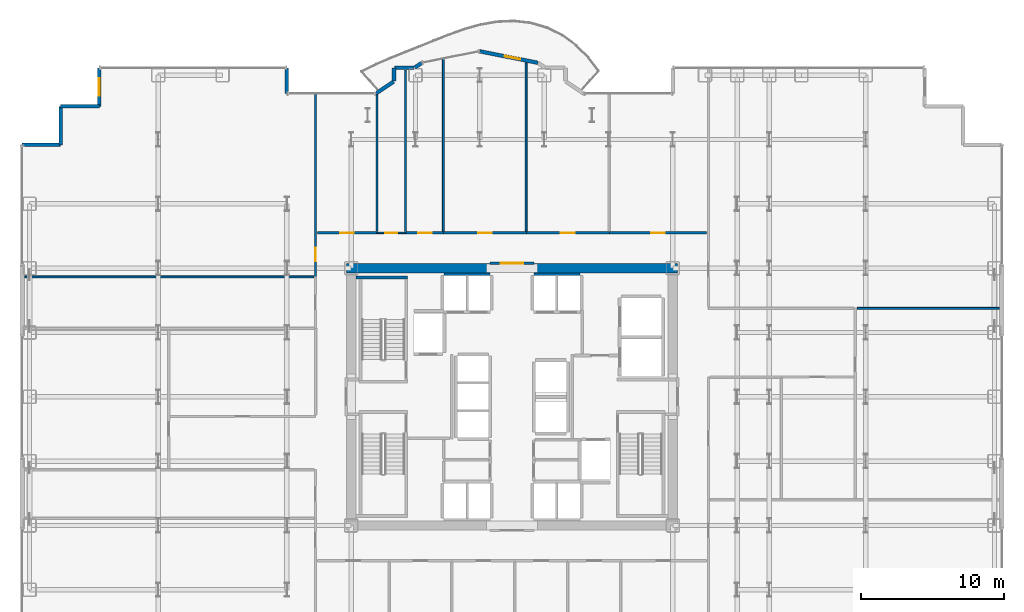
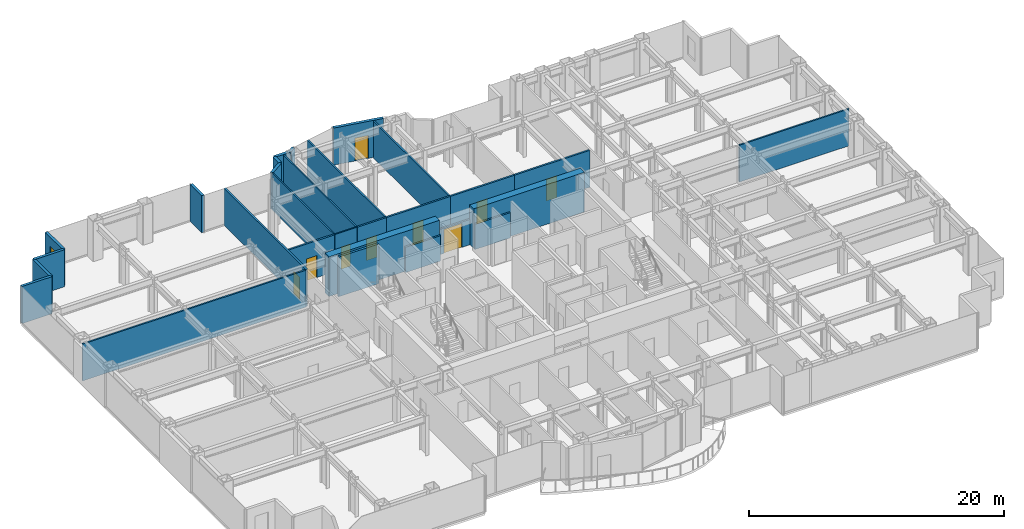
# One storey, part 26 of 29: 29 walls, 9 doors, 1 window, 10 openings.
"""IFC4 building model written with IfcOpenShell, lengths in metres."""

from ifc_helpers import new_model, si_unit, direction, frame, frame_2d, origin, place, context, subcontext, project, spatial, rectangle, extrude, source, transform, mapped, material, layer, layer_set, type_object, element, fill, save


model = new_model("IFC4")

# Units and contexts
model_context = context("Model", 3, precision=1e-05, world=origin(), true_north=direction((0.0, 1.0)))
body_context = subcontext(model_context, "Body", "Model", "MODEL_VIEW")
ifc_project = project(units=[si_unit("LENGTHUNIT", "METRE"), si_unit("AREAUNIT", "SQUARE_METRE"), si_unit("VOLUMEUNIT", "CUBIC_METRE"), si_unit("PLANEANGLEUNIT", "RADIAN"), si_unit("MASSUNIT", "GRAM", prefix="KILO")], contexts=[model_context])

# Site, building, storey
site_placement = place(None, origin())
site = spatial("IfcSite", under=ifc_project, at=site_placement, CompositionType="ELEMENT")
building_placement = place(site_placement, origin())
building = spatial("IfcBuilding", under=site, at=building_placement, Name="Nefas-Gora Pilgrimage Tower", CompositionType="ELEMENT")
storey_placement = place(building_placement, frame((0.0, 0.0, 44.39990234375)))
storey = spatial("IfcBuildingStorey", under=building, at=storey_placement, Name="L09", CompositionType="ELEMENT", Elevation=44.39990234375)

# Walls
ifc_material_1 = material(Name="Concrete C60/75", Category="concrete")
ifc_layer_1 = layer(ifc_material_1, 0.64990234375)
ifc_layer_set_1 = layer_set([ifc_layer_1], Name="Concrete C60/75")
wall_type_1 = type_object("IfcWallType", Name="SW-CORE-650", PredefinedType="SHEAR", material=ifc_layer_set_1)
shared_shape_1 = source(origin(), body_context, "Body", "SweptSolid", [
    extrude(rectangle(XDim=10.02490234375, YDim=0.64990234375, at=frame_2d((5.012451171875, 0.0))), origin(), (0.0, 0.0, 1.0), 3.800048828125),
])
for number, where, z_axis, x_axis, name in (
    (1, (-11.574951171875, 9.0, 0.0), (0.0, 0.0, 1.0), (1.0, 0.0, 0.0), "L09 Core Shear Wall N-West"),
    (2, (1.550048828125, 9.0, 0.0), (0.0, 0.0, 1.0), (1.0, 0.0, 0.0), "L09 Core Shear Wall N-East"),
):
    element("IfcWall", number, at=place(storey_placement, frame(where, z_axis=z_axis, x_axis=x_axis)), inside=storey, type_object=wall_type_1, Name=name, PredefinedType="SHEAR", context=body_context, shape_type="MappedRepresentation", body=[
        mapped(shared_shape_1, transform((0.0, 0.0, 0.0), x_axis=(1.0, 0.0, 0.0), y_axis=(0.0, 1.0, 0.0), z_axis=(0.0, 0.0, 1.0), scale=1.0)),
    ])
ifc_material_2 = material(Name="Precast concrete C40/50", Category="concrete")
ifc_layer_2 = layer(ifc_material_2, 0.260009765625)
ifc_layer_set_2 = layer_set([ifc_layer_2], Name="Precast concrete C40/50")
wall_type_2 = type_object("IfcWallType", Name="EW-PORTAL-260", PredefinedType="SOLIDWALL", material=ifc_layer_set_2)
shared_shape_2 = source(origin(), body_context, "Body", "SweptSolid", [
    extrude(rectangle(XDim=1.800048828125, YDim=0.260009765625, at=frame_2d((0.89990234375, 0.0))), origin(), (0.0, 0.0, 1.0), 3.550048828125),
])
wall_1_placement = place(storey_placement, frame((-15.75, 21.219970703125, 0.0), z_axis=(0.0, 0.0, 1.0), x_axis=(0.0, 1.0, 0.0)))
element("IfcWall", 3, at=wall_1_placement, inside=storey, type_object=wall_type_2, Name="L09 Lobe Shoulder Precast Spandrel Pier 24", PredefinedType="SOLIDWALL", context=body_context, shape_type="MappedRepresentation", body=[
    mapped(shared_shape_2, transform((0.0, 0.0, 0.0), x_axis=(1.0, 0.0, 0.0), y_axis=(0.0, 1.0, 0.0), z_axis=(0.0, 0.0, 1.0), scale=1.0)),
])

# Wall, opening, window
ifc_material_3 = material(Name="Precast concrete C45/55", Category="concrete")
ifc_layer_3 = layer(ifc_material_3, 0.239990234375)
ifc_layer_set_3 = layer_set([ifc_layer_3], Name="Precast concrete C45/55")
wall_type_3 = type_object("IfcWallType", Name="EW-SERR-240", PredefinedType="SHEAR", material=ifc_layer_set_3)
shared_shape_3 = source(origin(), body_context, "Body", "SweptSolid", [
    extrude(rectangle(XDim=2.699951171875, YDim=0.239990234375, at=frame_2d((1.35009765625, 0.0))), origin(), (0.0, 0.0, 1.0), 3.550048828125),
])
wall_2_placement = place(storey_placement, frame((-28.8701171875, 23.02001953125, 0.0), z_axis=(0.0, 0.0, 1.0), x_axis=(0.0, -1.0, 0.0)))
wall_2 = element("IfcWall", 4, at=wall_2_placement, inside=storey, type_object=wall_type_3, Name="L09 Serrated Corner Shear Pier Wall 25", PredefinedType="SHEAR", context=body_context, shape_type="MappedRepresentation", body=[
    mapped(shared_shape_3, transform((0.0, 0.0, 0.0), x_axis=(1.0, 0.0, 0.0), y_axis=(0.0, 1.0, 0.0), z_axis=(0.0, 0.0, 1.0), scale=1.0)),
])
opening_1_placement = place(wall_2_placement, frame((0.75, 0.0, 0.85009765625)))
opening_1 = element("IfcOpeningElement", 5, at=opening_1_placement, cuts=wall_2, Name="Opening W-V1", PredefinedType="OPENING", context=body_context, shape_type="SweptSolid", body=[
    extrude(rectangle(XDim=1.199951171875, YDim=1.800048828125, at=frame_2d((0.60009765625, 0.89990234375))), frame((0.0, 0.1298828125, 0.0), z_axis=(0.0, -1.0, 0.0), x_axis=(1.0, 0.0, 0.0)), (0.0, 0.0, 1.0), 0.260009765625),
])
ifc_material_4 = material(Name="Dark ceramic-fritted operable aluminium-glass window", Category="aluminium")
window_type = type_object("IfcWindowType", Name="WIN-VENT-1200x1800", PartitioningType="SINGLE_PANEL", PredefinedType="WINDOW", material=ifc_material_4)
shared_shape_4 = source(origin(), body_context, "Body", "SweptSolid", [
    extrude(rectangle(XDim=1.199951171875, YDim=1.800048828125, at=frame_2d((0.60009765625, 0.89990234375))), frame((0.0, 0.030029296875, 0.0), z_axis=(0.0, -1.0, 0.0), x_axis=(1.0, 0.0, 0.0)), (0.0, 0.0, 1.0), 0.06005859375),
])
window_placement = place(opening_1_placement, origin())
window = element("IfcWindow", 6, at=window_placement, inside=storey, type_object=window_type, Name="L09 Operable Parallel-Outswing Window 25", OverallHeight=1.800048828125, OverallWidth=1.199951171875, PartitioningType="SINGLE_PANEL", PredefinedType="WINDOW", context=body_context, shape_type="MappedRepresentation", body=[
    mapped(shared_shape_4, transform((0.0, 0.0, 0.0), x_axis=(1.0, 0.0, 0.0), y_axis=(0.0, 1.0, 0.0), z_axis=(0.0, 0.0, 1.0), scale=1.0)),
])
fill(opening_1, window)

# Walls
for number, where, z_axis, x_axis, name in (
    (7, (-28.8701171875, 20.320068359375, 0.0), (0.0, 0.0, 1.0), (-1.0, 0.0, 0.0), "L09 Serrated Corner Shear Pier Wall 26"),
    (8, (-31.570068359375, 20.320068359375, 0.0), (0.0, 0.0, 1.0), (0.0, -1.0, 0.0), "L09 Serrated Corner Shear Pier Wall 27"),
    (9, (-31.570068359375, 17.6201171875, 0.0), (0.0, 0.0, 1.0), (-1.0, 0.0, 0.0), "L09 Serrated Corner Shear Pier Wall 28"),
):
    element("IfcWall", number, at=place(storey_placement, frame(where, z_axis=z_axis, x_axis=x_axis)), inside=storey, type_object=wall_type_3, Name=name, PredefinedType="SHEAR", context=body_context, shape_type="MappedRepresentation", body=[
        mapped(shared_shape_3, transform((0.0, 0.0, 0.0), x_axis=(1.0, 0.0, 0.0), y_axis=(0.0, 1.0, 0.0), z_axis=(0.0, 0.0, 1.0), scale=1.0)),
    ])
shared_shape_5 = source(origin(), body_context, "Body", "SweptSolid", [
    extrude(rectangle(XDim=1.468994140625, YDim=0.260009765625, at=frame_2d((0.734375, 0.0))), origin(), (0.0, 0.0, 1.0), 3.550048828125),
])
wall_3_placement = place(storey_placement, frame((-8.273193359375, 22.0517578125, 0.0), z_axis=(0.0, 0.0, 1.0), x_axis=(-0.831461760506, -0.555581983884, 0.0)))
element("IfcWall", 10, at=wall_3_placement, inside=storey, type_object=wall_type_2, Name="L09 Lobe Shoulder Precast Spandrel Pier 23", PredefinedType="SOLIDWALL", context=body_context, shape_type="MappedRepresentation", body=[
    mapped(shared_shape_5, transform((0.0, 0.0, 0.0), x_axis=(1.0, 0.0, 0.0), y_axis=(0.0, 1.0, 0.0), z_axis=(0.0, 0.0, 1.0), scale=1.0)),
])
shared_shape_6 = source(origin(), body_context, "Body", "SweptSolid", [
    extrude(rectangle(XDim=0.896728515625, YDim=0.260009765625, at=frame_2d((0.4482421875, 0.0))), origin(), (0.0, 0.0, 1.0), 3.550048828125),
])
wall_4_placement = place(storey_placement, frame((-8.25, 22.991943359375, 0.0), z_axis=(0.0, 0.0, 1.0), x_axis=(0.0, -1.0, 0.0)))
element("IfcWall", 11, at=wall_4_placement, inside=storey, type_object=wall_type_2, Name="L09 Lobe Shoulder Precast Spandrel Pier 22", PredefinedType="SOLIDWALL", context=body_context, shape_type="MappedRepresentation", body=[
    mapped(shared_shape_6, transform((0.0, 0.0, 0.0), x_axis=(1.0, 0.0, 0.0), y_axis=(0.0, 1.0, 0.0), z_axis=(0.0, 0.0, 1.0), scale=1.0)),
])
shared_shape_7 = source(origin(), body_context, "Body", "SweptSolid", [
    extrude(rectangle(XDim=1.369873046875, YDim=0.260009765625, at=frame_2d((0.68505859375, 0.0))), origin(), (0.0, 0.0, 1.0), 3.550048828125),
])
wall_5_placement = place(storey_placement, frame((-6.85205078125, 23.02001953125, 0.0), z_axis=(0.0, 0.0, 1.0), x_axis=(-1.0, 0.0, 0.0)))
element("IfcWall", 12, at=wall_5_placement, inside=storey, type_object=wall_type_2, Name="L09 Lobe Shoulder Precast Spandrel Pier 21", PredefinedType="SOLIDWALL", context=body_context, shape_type="MappedRepresentation", body=[
    mapped(shared_shape_7, transform((0.0, 0.0, 0.0), x_axis=(1.0, 0.0, 0.0), y_axis=(0.0, 1.0, 0.0), z_axis=(0.0, 0.0, 1.0), scale=1.0)),
])
shared_shape_8 = source(origin(), body_context, "Body", "SweptSolid", [
    extrude(rectangle(XDim=0.5654296875, YDim=0.260009765625, at=frame_2d((0.28271484375, 0.0))), origin(), (0.0, 0.0, 1.0), 3.550048828125),
])
wall_6_placement = place(storey_placement, frame((-6.33056640625, 23.349609375, 0.0), z_axis=(0.0, 0.0, 1.0), x_axis=(-0.831651492666, -0.555297933317, 0.0)))
element("IfcWall", 13, at=wall_6_placement, inside=storey, type_object=wall_type_2, Name="L09 Lobe Shoulder Precast Spandrel Pier 20", PredefinedType="SOLIDWALL", context=body_context, shape_type="MappedRepresentation", body=[
    mapped(shared_shape_8, transform((0.0, 0.0, 0.0), x_axis=(1.0, 0.0, 0.0), y_axis=(0.0, 1.0, 0.0), z_axis=(0.0, 0.0, 1.0), scale=1.0)),
])

# Wall, opening, door
shared_shape_9 = source(origin(), body_context, "Body", "SweptSolid", [
    extrude(rectangle(XDim=4.136962890625, YDim=0.260009765625, at=frame_2d((2.068359375, 0.0))), origin(), (0.0, 0.0, 1.0), 3.550048828125),
])
wall_7_placement = place(storey_placement, frame((1.807373046875, 23.365234375, 0.0), z_axis=(0.0, 0.0, 1.0), x_axis=(-0.980782170794, 0.195105954428, 0.0)))
wall_7 = element("IfcWall", 14, at=wall_7_placement, inside=storey, type_object=wall_type_2, Name="L09 Insulated Terrace Portal Wall 19", PredefinedType="SOLIDWALL", context=body_context, shape_type="MappedRepresentation", body=[
    mapped(shared_shape_9, transform((0.0, 0.0, 0.0), x_axis=(1.0, 0.0, 0.0), y_axis=(0.0, 1.0, 0.0), z_axis=(0.0, 0.0, 1.0), scale=1.0)),
])
opening_2_placement = place(wall_7_placement, frame((1.2607421875, 0.0, 0.0)))
opening_2 = element("IfcOpeningElement", 15, at=opening_2_placement, cuts=wall_7, Name="Opening ED-B1", PredefinedType="OPENING", context=body_context, shape_type="SweptSolid", body=[
    extrude(rectangle(XDim=1.10009765625, YDim=2.199951171875, at=frame_2d((0.550048828125, 1.10009765625))), frame((0.0, 0.139892578125, 0.0), z_axis=(0.0, -1.0, 0.0), x_axis=(1.0, 0.0, 0.0)), (0.0, 0.0, 1.0), 0.280029296875),
])
ifc_material_5 = material(Name="Thermally broken glazed aluminium balcony door", Category="aluminium")
door_type_1 = type_object("IfcDoorType", Name="DR-EXT-BAL-1100", OperationType="NOTDEFINED", PredefinedType="DOOR", material=ifc_material_5)
shared_shape_10 = source(origin(), body_context, "Body", "SweptSolid", [
    extrude(rectangle(XDim=1.10009765625, YDim=2.199951171875, at=frame_2d((0.550048828125, 1.10009765625))), frame((0.0, 0.02490234375, 0.0), z_axis=(0.0, -1.0, 0.0), x_axis=(1.0, 0.0, 0.0)), (0.0, 0.0, 1.0), 0.050048828125),
])
door_1_placement = place(opening_2_placement, origin())
door_1 = element("IfcDoor", 16, at=door_1_placement, inside=storey, type_object=door_type_1, Name="L09 Exterior Door (L09 N Lobe Wave Balcony)", OperationType="SINGLE_SWING_LEFT", OverallHeight=2.199951171875, OverallWidth=1.10009765625, PredefinedType="DOOR", context=body_context, shape_type="MappedRepresentation", body=[
    mapped(shared_shape_10, transform((0.0, 0.0, 0.0), x_axis=(1.0, 0.0, 0.0), y_axis=(0.0, 1.0, 0.0), z_axis=(0.0, 0.0, 1.0), scale=1.0)),
])
fill(opening_2, door_1)

# Walls
ifc_material_6 = material(Name="Concrete C45/55", Category="concrete")
ifc_layer_4 = layer(ifc_material_6, 0.199951171875)
ifc_layer_set_4 = layer_set([ifc_layer_4], Name="Concrete C45/55")
wall_type_4 = type_object("IfcWallType", Name="IW-STAIR-200", PredefinedType="SOLIDWALL", material=ifc_layer_set_4)
shared_shape_11 = source(origin(), body_context, "Body", "SweptSolid", [
    extrude(rectangle(XDim=3.6298828125, YDim=0.199951171875, at=frame_2d((1.81494140625, 0.0))), origin(), (0.0, 0.0, 1.0), 3.800048828125),
])
wall_8_placement = place(storey_placement, frame((-7.300048828125, 8.35009765625, 0.0), z_axis=(0.0, 0.0, 1.0), x_axis=(-1.0, 0.0, 0.0)))
element("IfcWall", 17, at=wall_8_placement, inside=storey, type_object=wall_type_4, Name="L09 Stairwell Shear Wall ST-01-far", PredefinedType="SOLIDWALL", context=body_context, shape_type="MappedRepresentation", body=[
    mapped(shared_shape_11, transform((0.0, 0.0, 0.0), x_axis=(1.0, 0.0, 0.0), y_axis=(0.0, 1.0, 0.0), z_axis=(0.0, 0.0, 1.0), scale=1.0)),
])
ifc_material_7 = material(Name="Gypsum acoustic stud partition")
ifc_layer_5 = layer(ifc_material_7, 0.159912109375)
ifc_layer_set_5 = layer_set([ifc_layer_5], Name="Gypsum acoustic stud partition")
wall_type_5 = type_object("IfcWallType", Name="IW-CORR-160", PredefinedType="PARTITIONING", material=ifc_layer_set_5)
shared_shape_12 = source(origin(), body_context, "Body", "SweptSolid", [
    extrude(rectangle(XDim=3.199951171875, YDim=0.159912109375, at=frame_2d((1.60009765625, 0.0))), origin(), (0.0, 0.0, 1.0), 2.425048828125),
])
for number, where, z_axis, x_axis, name in (
    (18, (-1.550048828125, 8.580078125, 0.0), (0.0, 0.0, 1.0), (-1.0, 0.0, 0.0), "L09 Hoistway Wall PL1-W-N"),
    (19, (4.75, 8.580078125, 0.0), (0.0, 0.0, 1.0), (-1.0, 0.0, 0.0), "L09 Hoistway Wall PL1-E-N"),
):
    element("IfcWall", number, at=place(storey_placement, frame(where, z_axis=z_axis, x_axis=x_axis)), inside=storey, type_object=wall_type_5, Name=name, PredefinedType="PARTITIONING", context=body_context, shape_type="MappedRepresentation", body=[
        mapped(shared_shape_12, transform((0.0, 0.0, 0.0), x_axis=(1.0, 0.0, 0.0), y_axis=(0.0, 1.0, 0.0), z_axis=(0.0, 0.0, 1.0), scale=1.0)),
    ])

# Wall, opening, door
shared_shape_13 = source(origin(), body_context, "Body", "SweptSolid", [
    extrude(rectangle(XDim=3.08984375, YDim=0.159912109375, at=frame_2d((1.544921875, 0.0))), origin(), (0.0, 0.0, 1.0), 2.425048828125),
])
wall_9_placement = place(storey_placement, frame((-1.544921875, 9.35009765625, 0.0), z_axis=(0.0, 0.0, 1.0), x_axis=(1.0, 0.0, 0.0)))
wall_9 = element("IfcWall", 20, at=wall_9_placement, inside=storey, type_object=wall_type_5, Name="L09 Central Lift Lobby North Portal Wall 13", PredefinedType="PARTITIONING", context=body_context, shape_type="MappedRepresentation", body=[
    mapped(shared_shape_13, transform((0.0, 0.0, 0.0), x_axis=(1.0, 0.0, 0.0), y_axis=(0.0, 1.0, 0.0), z_axis=(0.0, 0.0, 1.0), scale=1.0)),
])
opening_3_placement = place(wall_9_placement, frame((0.7451171875, 0.0, 0.0)))
opening_3 = element("IfcOpeningElement", 21, at=opening_3_placement, cuts=wall_9, Name="Opening ID-HL1", PredefinedType="OPENING", context=body_context, shape_type="SweptSolid", body=[
    extrude(rectangle(XDim=1.60009765625, YDim=2.300048828125, at=frame_2d((0.800048828125, 1.14990234375))), frame((0.0, 0.08984375, 0.0), z_axis=(0.0, -1.0, 0.0), x_axis=(1.0, 0.0, 0.0)), (0.0, 0.0, 1.0), 0.179931640625),
])
ifc_material_8 = material(Name="Double acoustic timber assembly hall door", Category="wood")
door_type_2 = type_object("IfcDoorType", Name="DR-INT-HALL-1600", OperationType="DOUBLE_DOOR_SINGLE_SWING", PredefinedType="DOOR", material=ifc_material_8)
shared_shape_14 = source(origin(), body_context, "Body", "SweptSolid", [
    extrude(rectangle(XDim=1.60009765625, YDim=2.300048828125, at=frame_2d((0.800048828125, 1.14990234375))), frame((0.0, 0.02490234375, 0.0), z_axis=(0.0, -1.0, 0.0), x_axis=(1.0, 0.0, 0.0)), (0.0, 0.0, 1.0), 0.050048828125),
])
door_2_placement = place(opening_3_placement, origin())
door_2 = element("IfcDoor", 22, at=door_2_placement, inside=storey, type_object=door_type_2, Name="L09 Central Lift Lobby North Portal Door 4", OperationType="DOUBLE_DOOR_SINGLE_SWING", OverallHeight=2.300048828125, OverallWidth=1.60009765625, PredefinedType="DOOR", context=body_context, shape_type="MappedRepresentation", body=[
    mapped(shared_shape_14, transform((0.0, 0.0, 0.0), x_axis=(1.0, 0.0, 0.0), y_axis=(0.0, 1.0, 0.0), z_axis=(0.0, 0.0, 1.0), scale=1.0)),
])
fill(opening_3, door_2)

ifc_material_9 = material(Name="Moisture-resistant fire-rated gypsum partition")
ifc_layer_6 = layer(ifc_material_9, 0.1201171875)
ifc_layer_set_6 = layer_set([ifc_layer_6], Name="Moisture-resistant fire-rated gypsum partition")
wall_type_6 = type_object("IfcWallType", Name="IW-WET-120", PredefinedType="PLUMBINGWALL", material=ifc_layer_set_6)
shared_shape_15 = source(origin(), body_context, "Body", "SweptSolid", [
    extrude(rectangle(XDim=2.02001953125, YDim=0.1201171875, at=frame_2d((1.010009765625, 0.0))), origin(), (0.0, 0.0, 1.0), 3.53515625),
])
wall_10_placement = place(storey_placement, frame((-9.4599609375, 11.469970703125, 0.0), z_axis=(0.0, 0.0, 1.0), x_axis=(1.0, 0.0, 0.0)))
wall_10 = element("IfcWall", 23, at=wall_10_placement, inside=storey, type_object=wall_type_6, Name="L09 Accessible Unisex WC Partition Wall 25", PredefinedType="PLUMBINGWALL", context=body_context, shape_type="MappedRepresentation", body=[
    mapped(shared_shape_15, transform((0.0, 0.0, 0.0), x_axis=(1.0, 0.0, 0.0), y_axis=(0.0, 1.0, 0.0), z_axis=(0.0, 0.0, 1.0), scale=1.0)),
])
opening_4_placement = place(wall_10_placement, frame((0.5849609375, 0.0, 0.0)))
opening_4 = element("IfcOpeningElement", 24, at=opening_4_placement, cuts=wall_10, Name="Opening ID-BT1", PredefinedType="OPENING", context=body_context, shape_type="SweptSolid", body=[
    extrude(rectangle(XDim=0.85009765625, YDim=2.10009765625, at=frame_2d((0.425048828125, 1.050048828125))), frame((0.0, 0.070068359375, 0.0), z_axis=(0.0, -1.0, 0.0), x_axis=(1.0, 0.0, 0.0)), (0.0, 0.0, 1.0), 0.14013671875),
])
ifc_material_10 = material(Name="Moisture-resistant fire-rated timber door", Category="wood")
door_type_3 = type_object("IfcDoorType", Name="DR-INT-BATH-850", OperationType="NOTDEFINED", PredefinedType="DOOR", material=ifc_material_10)
shared_shape_16 = source(origin(), body_context, "Body", "SweptSolid", [
    extrude(rectangle(XDim=0.85009765625, YDim=2.10009765625, at=frame_2d((0.425048828125, 1.050048828125))), frame((0.0, 0.02490234375, 0.0), z_axis=(0.0, -1.0, 0.0), x_axis=(1.0, 0.0, 0.0)), (0.0, 0.0, 1.0), 0.050048828125),
])
door_3_placement = place(opening_4_placement, origin())
door_3 = element("IfcDoor", 25, at=door_3_placement, inside=storey, type_object=door_type_3, Name="L09 Accessible Unisex WC Door 10", OperationType="SINGLE_SWING_LEFT", OverallHeight=2.10009765625, OverallWidth=0.85009765625, PredefinedType="DOOR", context=body_context, shape_type="MappedRepresentation", body=[
    mapped(shared_shape_16, transform((0.0, 0.0, 0.0), x_axis=(1.0, 0.0, 0.0), y_axis=(0.0, 1.0, 0.0), z_axis=(0.0, 0.0, 1.0), scale=1.0)),
])
fill(opening_4, door_3)

# Walls
shared_shape_17 = source(origin(), body_context, "Body", "SweptSolid", [
    extrude(rectangle(XDim=11.280029296875, YDim=0.1201171875, at=frame_2d((5.64013671875, 0.0))), origin(), (0.0, 0.0, 1.0), 3.53515625),
])
wall_11_placement = place(storey_placement, frame((-7.449951171875, 11.570068359375, 0.0), z_axis=(0.0, 0.0, 1.0), x_axis=(0.0, 1.0, 0.0)))
element("IfcWall", 26, at=wall_11_placement, inside=storey, type_object=wall_type_6, Name="L09 Accessible Unisex WC Partition Wall 26", PredefinedType="PLUMBINGWALL", context=body_context, shape_type="MappedRepresentation", body=[
    mapped(shared_shape_17, transform((0.0, 0.0, 0.0), x_axis=(1.0, 0.0, 0.0), y_axis=(0.0, 1.0, 0.0), z_axis=(0.0, 0.0, 1.0), scale=1.0)),
])
shared_shape_18 = source(origin(), body_context, "Body", "SweptSolid", [
    extrude(rectangle(XDim=9.586669921875, YDim=0.1201171875, at=frame_2d((4.79345703125, 0.0))), origin(), (0.0, 0.0, 1.0), 3.53515625),
])
wall_12_placement = place(storey_placement, frame((-9.449951171875, 11.570068359375, 0.0), z_axis=(0.0, 0.0, 1.0), x_axis=(0.0, 1.0, 0.0)))
element("IfcWall", 27, at=wall_12_placement, inside=storey, type_object=wall_type_6, Name="L09 Accessible Unisex WC Partition Wall 27", PredefinedType="PLUMBINGWALL", context=body_context, shape_type="MappedRepresentation", body=[
    mapped(shared_shape_18, transform((0.0, 0.0, 0.0), x_axis=(1.0, 0.0, 0.0), y_axis=(0.0, 1.0, 0.0), z_axis=(0.0, 0.0, 1.0), scale=1.0)),
])
ifc_material_11 = material(Name="Gypsum twin-stud partition")
ifc_layer_7 = layer(ifc_material_11, 0.139892578125)
ifc_layer_set_7 = layer_set([ifc_layer_7], Name="Gypsum twin-stud partition")
wall_type_7 = type_object("IfcWallType", Name="IW-UNIT-140", PredefinedType="PARTITIONING", material=ifc_layer_set_7)
shared_shape_19 = source(origin(), body_context, "Body", "SweptSolid", [
    extrude(rectangle(XDim=20.219970703125, YDim=0.139892578125, at=frame_2d((10.10986328125, 0.0))), origin(), (0.0, 0.0, 1.0), 3.53515625),
])
wall_13_placement = place(storey_placement, frame((-34.080078125, 8.39501953125, 0.0), z_axis=(0.0, 0.0, 1.0), x_axis=(1.0, 0.0, 0.0)))
element("IfcWall", 28, at=wall_13_placement, inside=storey, type_object=wall_type_7, Name="L09 Pilgrim Fellowship Seminar Room Partition Wall 37", PredefinedType="PARTITIONING", context=body_context, shape_type="MappedRepresentation", body=[
    mapped(shared_shape_19, transform((0.0, 0.0, 0.0), x_axis=(1.0, 0.0, 0.0), y_axis=(0.0, 1.0, 0.0), z_axis=(0.0, 0.0, 1.0), scale=1.0)),
])

# Wall, opening, door
shared_shape_20 = source(origin(), body_context, "Body", "SweptSolid", [
    extrude(rectangle(XDim=12.844970703125, YDim=0.159912109375, at=frame_2d((6.42236328125, 0.0))), origin(), (0.0, 0.0, 1.0), 3.53515625),
])
wall_14_placement = place(storey_placement, frame((-13.739990234375, 8.39501953125, 0.0), z_axis=(0.0, 0.0, 1.0), x_axis=(0.0, 1.0, 0.0)))
wall_14 = element("IfcWall", 29, at=wall_14_placement, inside=storey, type_object=wall_type_5, Name="L09 Pilgrim Refectory Lounge Partition Wall 38", PredefinedType="PARTITIONING", context=body_context, shape_type="MappedRepresentation", body=[
    mapped(shared_shape_20, transform((0.0, 0.0, 0.0), x_axis=(1.0, 0.0, 0.0), y_axis=(0.0, 1.0, 0.0), z_axis=(0.0, 0.0, 1.0), scale=1.0)),
])
opening_5_placement = place(wall_14_placement, frame((1.08251953125, 0.0, 0.0)))
opening_5 = element("IfcOpeningElement", 30, at=opening_5_placement, cuts=wall_14, Name="Opening ID-GR1", PredefinedType="OPENING", context=body_context, shape_type="SweptSolid", body=[
    extrude(rectangle(XDim=0.949951171875, YDim=2.10009765625, at=frame_2d((0.47509765625, 1.050048828125))), frame((0.0, 0.08984375, 0.0), z_axis=(0.0, -1.0, 0.0), x_axis=(1.0, 0.0, 0.0)), (0.0, 0.0, 1.0), 0.179931640625),
])
ifc_material_12 = material(Name="Solid core oak fire-rated guest entrance door")
door_type_4 = type_object("IfcDoorType", Name="DR-INT-GUEST-950", OperationType="NOTDEFINED", PredefinedType="DOOR", material=ifc_material_12)
shared_shape_21 = source(origin(), body_context, "Body", "SweptSolid", [
    extrude(rectangle(XDim=0.949951171875, YDim=2.10009765625, at=frame_2d((0.47509765625, 1.050048828125))), frame((0.0, 0.02490234375, 0.0), z_axis=(0.0, -1.0, 0.0), x_axis=(1.0, 0.0, 0.0)), (0.0, 0.0, 1.0), 0.050048828125),
])
door_4_placement = place(opening_5_placement, origin())
door_4 = element("IfcDoor", 31, at=door_4_placement, inside=storey, type_object=door_type_4, Name="L09 Pilgrim Refectory Lounge Door 16", OperationType="SINGLE_SWING_LEFT", OverallHeight=2.10009765625, OverallWidth=0.949951171875, PredefinedType="DOOR", context=body_context, shape_type="MappedRepresentation", body=[
    mapped(shared_shape_21, transform((0.0, 0.0, 0.0), x_axis=(1.0, 0.0, 0.0), y_axis=(0.0, 1.0, 0.0), z_axis=(0.0, 0.0, 1.0), scale=1.0)),
])
fill(opening_5, door_4)

# Wall
shared_shape_22 = source(origin(), body_context, "Body", "SweptSolid", [
    extrude(rectangle(XDim=9.940185546875, YDim=0.139892578125, at=frame_2d((4.97021484375, 0.0))), origin(), (0.0, 0.0, 1.0), 3.53515625),
])
wall_15_placement = place(storey_placement, frame((24.139892578125, 6.195068359375, 0.0), z_axis=(0.0, 0.0, 1.0), x_axis=(1.0, 0.0, 0.0)))
element("IfcWall", 32, at=wall_15_placement, inside=storey, type_object=wall_type_7, Name="L09 Pilgrim Contemplative Lounge Partition Wall 43", PredefinedType="PARTITIONING", context=body_context, shape_type="MappedRepresentation", body=[
    mapped(shared_shape_22, transform((0.0, 0.0, 0.0), x_axis=(1.0, 0.0, 0.0), y_axis=(0.0, 1.0, 0.0), z_axis=(0.0, 0.0, 1.0), scale=1.0)),
])

# Wall, opening, door
shared_shape_23 = source(origin(), body_context, "Body", "SweptSolid", [
    extrude(rectangle(XDim=4.125, YDim=0.159912109375, at=frame_2d((2.0625, 0.0))), origin(), (0.0, 0.0, 1.0), 3.53515625),
])
wall_16_placement = place(storey_placement, frame((-13.6201171875, 11.469970703125, 0.0), z_axis=(0.0, 0.0, 1.0), x_axis=(1.0, 0.0, 0.0)))
wall_16 = element("IfcWall", 33, at=wall_16_placement, inside=storey, type_object=wall_type_5, Name="L09 Pilgrim Contemplative Lounge Partition Wall 49", PredefinedType="PARTITIONING", context=body_context, shape_type="MappedRepresentation", body=[
    mapped(shared_shape_23, transform((0.0, 0.0, 0.0), x_axis=(1.0, 0.0, 0.0), y_axis=(0.0, 1.0, 0.0), z_axis=(0.0, 0.0, 1.0), scale=1.0)),
])
opening_6_placement = place(wall_16_placement, frame((1.58740234375, 0.0, 0.0)))
opening_6 = element("IfcOpeningElement", 34, at=opening_6_placement, cuts=wall_16, Name="Opening ID-GR1", PredefinedType="OPENING", context=body_context, shape_type="SweptSolid", body=[
    extrude(rectangle(XDim=0.949951171875, YDim=2.10009765625, at=frame_2d((0.47509765625, 1.050048828125))), frame((0.0, 0.08984375, 0.0), z_axis=(0.0, -1.0, 0.0), x_axis=(1.0, 0.0, 0.0)), (0.0, 0.0, 1.0), 0.179931640625),
])
door_5_placement = place(opening_6_placement, origin())
door_5 = element("IfcDoor", 35, at=door_5_placement, inside=storey, type_object=door_type_4, Name="L09 Pilgrim Contemplative Lounge Door 22", OperationType="SINGLE_SWING_LEFT", OverallHeight=2.10009765625, OverallWidth=0.949951171875, PredefinedType="DOOR", context=body_context, shape_type="MappedRepresentation", body=[
    mapped(shared_shape_21, transform((0.0, 0.0, 0.0), x_axis=(1.0, 0.0, 0.0), y_axis=(0.0, 1.0, 0.0), z_axis=(0.0, 0.0, 1.0), scale=1.0)),
])
fill(opening_6, door_5)

shared_shape_24 = source(origin(), body_context, "Body", "SweptSolid", [
    extrude(rectangle(XDim=2.610107421875, YDim=0.159912109375, at=frame_2d((1.30517578125, 0.0))), origin(), (0.0, 0.0, 1.0), 3.53515625),
])
wall_17_placement = place(storey_placement, frame((-7.405029296875, 11.469970703125, 0.0), z_axis=(0.0, 0.0, 1.0), x_axis=(1.0, 0.0, 0.0)))
wall_17 = element("IfcWall", 36, at=wall_17_placement, inside=storey, type_object=wall_type_5, Name="L09 Pilgrim Contemplative Lounge Partition Wall 50", PredefinedType="PARTITIONING", context=body_context, shape_type="MappedRepresentation", body=[
    mapped(shared_shape_24, transform((0.0, 0.0, 0.0), x_axis=(1.0, 0.0, 0.0), y_axis=(0.0, 1.0, 0.0), z_axis=(0.0, 0.0, 1.0), scale=1.0)),
])
opening_7_placement = place(wall_17_placement, frame((0.830078125, 0.0, 0.0)))
opening_7 = element("IfcOpeningElement", 37, at=opening_7_placement, cuts=wall_17, Name="Opening ID-GR1", PredefinedType="OPENING", context=body_context, shape_type="SweptSolid", body=[
    extrude(rectangle(XDim=0.949951171875, YDim=2.10009765625, at=frame_2d((0.47509765625, 1.050048828125))), frame((0.0, 0.08984375, 0.0), z_axis=(0.0, -1.0, 0.0), x_axis=(1.0, 0.0, 0.0)), (0.0, 0.0, 1.0), 0.179931640625),
])
door_6_placement = place(opening_7_placement, origin())
door_6 = element("IfcDoor", 38, at=door_6_placement, inside=storey, type_object=door_type_4, Name="L09 Pilgrim Contemplative Lounge Door 23", OperationType="SINGLE_SWING_RIGHT", OverallHeight=2.10009765625, OverallWidth=0.949951171875, PredefinedType="DOOR", context=body_context, shape_type="MappedRepresentation", body=[
    mapped(shared_shape_21, transform((0.0, 0.0, 0.0), x_axis=(1.0, 0.0, 0.0), y_axis=(0.0, 1.0, 0.0), z_axis=(0.0, 0.0, 1.0), scale=1.0)),
])
fill(opening_7, door_6)

# Wall
shared_shape_25 = source(origin(), body_context, "Body", "SweptSolid", [
    extrude(rectangle(XDim=12.096435546875, YDim=0.139892578125, at=frame_2d((6.04833984375, 0.0))), origin(), (0.0, 0.0, 1.0), 3.53515625),
])
wall_18_placement = place(storey_placement, frame((-4.804931640625, 11.590087890625, 0.0), z_axis=(0.0, 0.0, 1.0), x_axis=(0.0, 1.0, 0.0)))
element("IfcWall", 39, at=wall_18_placement, inside=storey, type_object=wall_type_7, Name="L09 Pilgrim Contemplative Lounge Partition Wall 51", PredefinedType="PARTITIONING", context=body_context, shape_type="MappedRepresentation", body=[
    mapped(shared_shape_25, transform((0.0, 0.0, 0.0), x_axis=(1.0, 0.0, 0.0), y_axis=(0.0, 1.0, 0.0), z_axis=(0.0, 0.0, 1.0), scale=1.0)),
])

# Wall, opening, door
shared_shape_26 = source(origin(), body_context, "Body", "SweptSolid", [
    extrude(rectangle(XDim=5.804931640625, YDim=0.159912109375, at=frame_2d((2.90234375, 0.0))), origin(), (0.0, 0.0, 1.0), 3.53515625),
])
wall_19_placement = place(storey_placement, frame((-4.804931640625, 11.469970703125, 0.0), z_axis=(0.0, 0.0, 1.0), x_axis=(1.0, 0.0, 0.0)))
wall_19 = element("IfcWall", 40, at=wall_19_placement, inside=storey, type_object=wall_type_5, Name="L09 Pilgrim Contemplative Lounge Partition Wall 52", PredefinedType="PARTITIONING", context=body_context, shape_type="MappedRepresentation", body=[
    mapped(shared_shape_26, transform((0.0, 0.0, 0.0), x_axis=(1.0, 0.0, 0.0), y_axis=(0.0, 1.0, 0.0), z_axis=(0.0, 0.0, 1.0), scale=1.0)),
])
opening_8_placement = place(wall_19_placement, frame((2.427490234375, 0.0, 0.0)))
opening_8 = element("IfcOpeningElement", 41, at=opening_8_placement, cuts=wall_19, Name="Opening ID-GR1", PredefinedType="OPENING", context=body_context, shape_type="SweptSolid", body=[
    extrude(rectangle(XDim=0.949951171875, YDim=2.10009765625, at=frame_2d((0.47509765625, 1.050048828125))), frame((0.0, 0.08984375, 0.0), z_axis=(0.0, -1.0, 0.0), x_axis=(1.0, 0.0, 0.0)), (0.0, 0.0, 1.0), 0.179931640625),
])
door_7_placement = place(opening_8_placement, origin())
door_7 = element("IfcDoor", 42, at=door_7_placement, inside=storey, type_object=door_type_4, Name="L09 Pilgrim Contemplative Lounge Door 24", OperationType="SINGLE_SWING_LEFT", OverallHeight=2.10009765625, OverallWidth=0.949951171875, PredefinedType="DOOR", context=body_context, shape_type="MappedRepresentation", body=[
    mapped(shared_shape_21, transform((0.0, 0.0, 0.0), x_axis=(1.0, 0.0, 0.0), y_axis=(0.0, 1.0, 0.0), z_axis=(0.0, 0.0, 1.0), scale=1.0)),
])
fill(opening_8, door_7)

wall_20_placement = place(storey_placement, frame((1.0, 11.469970703125, 0.0), z_axis=(0.0, 0.0, 1.0), x_axis=(1.0, 0.0, 0.0)))
wall_20 = element("IfcWall", 43, at=wall_20_placement, inside=storey, type_object=wall_type_5, Name="L09 Pilgrim Contemplative Lounge Partition Wall 54", PredefinedType="PARTITIONING", context=body_context, shape_type="MappedRepresentation", body=[
    mapped(shared_shape_26, transform((0.0, 0.0, 0.0), x_axis=(1.0, 0.0, 0.0), y_axis=(0.0, 1.0, 0.0), z_axis=(0.0, 0.0, 1.0), scale=1.0)),
])
opening_9_placement = place(wall_20_placement, frame((2.427490234375, 0.0, 0.0)))
opening_9 = element("IfcOpeningElement", 44, at=opening_9_placement, cuts=wall_20, Name="Opening ID-GR1", PredefinedType="OPENING", context=body_context, shape_type="SweptSolid", body=[
    extrude(rectangle(XDim=0.949951171875, YDim=2.10009765625, at=frame_2d((0.47509765625, 1.050048828125))), frame((0.0, 0.08984375, 0.0), z_axis=(0.0, -1.0, 0.0), x_axis=(1.0, 0.0, 0.0)), (0.0, 0.0, 1.0), 0.179931640625),
])
door_8_placement = place(opening_9_placement, origin())
door_8 = element("IfcDoor", 45, at=door_8_placement, inside=storey, type_object=door_type_4, Name="L09 Pilgrim Contemplative Lounge Door 25", OperationType="SINGLE_SWING_RIGHT", OverallHeight=2.10009765625, OverallWidth=0.949951171875, PredefinedType="DOOR", context=body_context, shape_type="MappedRepresentation", body=[
    mapped(shared_shape_21, transform((0.0, 0.0, 0.0), x_axis=(1.0, 0.0, 0.0), y_axis=(0.0, 1.0, 0.0), z_axis=(0.0, 0.0, 1.0), scale=1.0)),
])
fill(opening_9, door_8)

# Wall
shared_shape_27 = source(origin(), body_context, "Body", "SweptSolid", [
    extrude(rectangle(XDim=11.7646484375, YDim=0.139892578125, at=frame_2d((5.88232421875, 0.0))), origin(), (0.0, 0.0, 1.0), 3.53515625),
])
wall_21_placement = place(storey_placement, frame((0.989990234375, 11.590087890625, 0.0), z_axis=(0.0, 0.0, 1.0), x_axis=(0.0, 1.0, 0.0)))
element("IfcWall", 46, at=wall_21_placement, inside=storey, type_object=wall_type_7, Name="L09 Pilgrim Contemplative Lounge Partition Wall 53", PredefinedType="PARTITIONING", context=body_context, shape_type="MappedRepresentation", body=[
    mapped(shared_shape_27, transform((0.0, 0.0, 0.0), x_axis=(1.0, 0.0, 0.0), y_axis=(0.0, 1.0, 0.0), z_axis=(0.0, 0.0, 1.0), scale=1.0)),
])

# Wall, opening, door
shared_shape_28 = source(origin(), body_context, "Body", "SweptSolid", [
    extrude(rectangle(XDim=6.8251953125, YDim=0.159912109375, at=frame_2d((3.41259765625, 0.0))), origin(), (0.0, 0.0, 1.0), 3.53515625),
])
wall_22_placement = place(storey_placement, frame((6.794921875, 11.469970703125, 0.0), z_axis=(0.0, 0.0, 1.0), x_axis=(1.0, 0.0, 0.0)))
wall_22 = element("IfcWall", 47, at=wall_22_placement, inside=storey, type_object=wall_type_5, Name="L09 Pilgrim Contemplative Lounge Partition Wall 56", PredefinedType="PARTITIONING", context=body_context, shape_type="MappedRepresentation", body=[
    mapped(shared_shape_28, transform((0.0, 0.0, 0.0), x_axis=(1.0, 0.0, 0.0), y_axis=(0.0, 1.0, 0.0), z_axis=(0.0, 0.0, 1.0), scale=1.0)),
])
opening_10_placement = place(wall_22_placement, frame((2.9375, 0.0, 0.0)))
opening_10 = element("IfcOpeningElement", 48, at=opening_10_placement, cuts=wall_22, Name="Opening ID-GR1", PredefinedType="OPENING", context=body_context, shape_type="SweptSolid", body=[
    extrude(rectangle(XDim=0.949951171875, YDim=2.10009765625, at=frame_2d((0.47509765625, 1.050048828125))), frame((0.0, 0.08984375, 0.0), z_axis=(0.0, -1.0, 0.0), x_axis=(1.0, 0.0, 0.0)), (0.0, 0.0, 1.0), 0.179931640625),
])
door_9_placement = place(opening_10_placement, origin())
door_9 = element("IfcDoor", 49, at=door_9_placement, inside=storey, type_object=door_type_4, Name="L09 Pilgrim Contemplative Lounge Door 26", OperationType="SINGLE_SWING_LEFT", OverallHeight=2.10009765625, OverallWidth=0.949951171875, PredefinedType="DOOR", context=body_context, shape_type="MappedRepresentation", body=[
    mapped(shared_shape_21, transform((0.0, 0.0, 0.0), x_axis=(1.0, 0.0, 0.0), y_axis=(0.0, 1.0, 0.0), z_axis=(0.0, 0.0, 1.0), scale=1.0)),
])
fill(opening_10, door_9)

save(model, "model.ifc")
